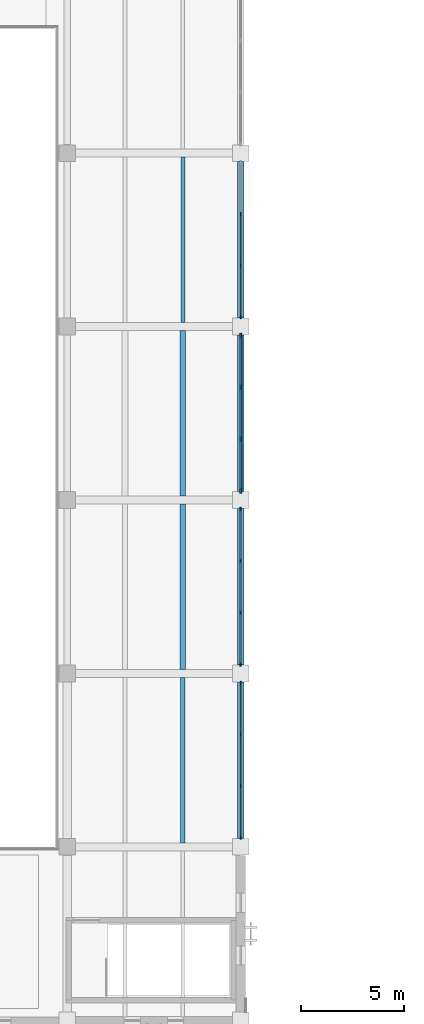
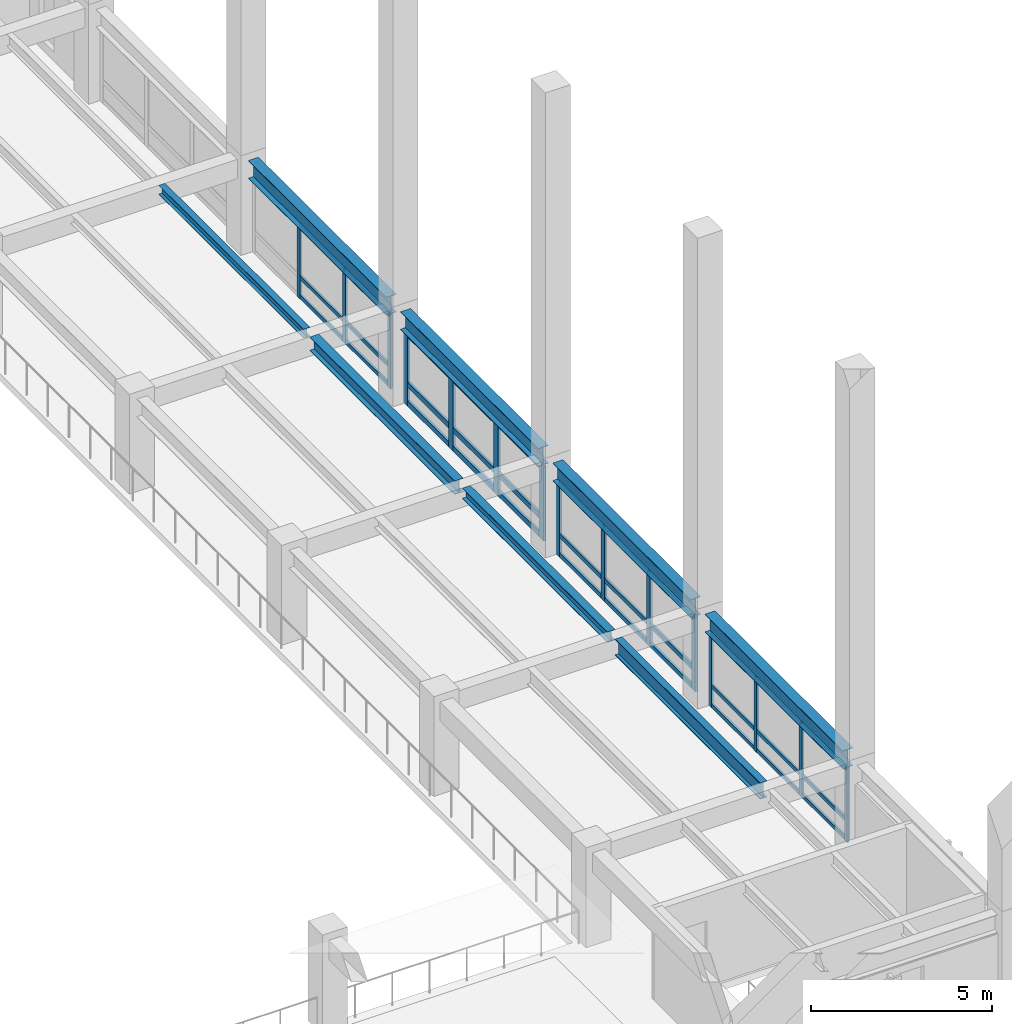
# One storey, part 8 of 64: 48 members, 8 beams, 4 elements without a shape of their own.
"""IFC4 building model written with IfcOpenShell, lengths in metres."""

import ifcopenshell
import ifcopenshell.guid

model = None  # the IFC model being written
_history = None  # IfcOwnerHistory: only IFC2X3 demands one
_inside = {}  # id of a spatial element -> (the spatial element, [elements in it])
_under = {}  # id of a project, library or spatial element -> (it, [spatial elements below it])
_declared = {}  # id of a project -> (the project, [libraries it declares])
_typed = {}  # id of a type object -> (the type object, [elements of that type])
_made_of = {}  # id of a material, layer set ... -> (it, [elements and type objects made of it])


def new_model(schema):
    """Start an empty IFC model of exactly this schema.

    Asked for "IFC4X3", IfcOpenShell would pick the latest addendum, in which some entities
    have other attributes; the version numbers below select the first issue.
    IFC2X3 requires an IfcOwnerHistory on every rooted entity: one is made here for all.
    """
    global model, _history
    if schema == "IFC4X3":
        model = ifcopenshell.file(schema_version=(4, 3, 0, 0))
    else:
        model = ifcopenshell.file(schema=schema)
    _inside.clear()
    _under.clear()
    _declared.clear()
    _typed.clear()
    _made_of.clear()
    _history = None
    if model.schema == "IFC2X3":
        org = make("IfcOrganization", Name="unknown")
        user = make(
            "IfcPersonAndOrganization",
            ThePerson=make("IfcPerson", FamilyName="unknown"),
            TheOrganization=org,
        )
        app = make(
            "IfcApplication",
            ApplicationDeveloper=org,
            Version="unknown",
            ApplicationFullName="unknown",
            ApplicationIdentifier="unknown",
        )
        _history = make(
            "IfcOwnerHistory",
            OwningUser=user,
            OwningApplication=app,
            ChangeAction="ADDED",
            CreationDate=0,
        )
    return model


def make(cls, **values):
    """One entity of the class cls with the attributes given. An attribute that is None is left unset."""
    return model.create_entity(
        cls, **{name: value for name, value in values.items() if value is not None}
    )


def rooted(cls, **values):
    """An entity with a GlobalId (a new one), such as an element, a storey or a relation."""
    return make(cls, GlobalId=ifcopenshell.guid.new(), OwnerHistory=_history, **values)


def si_unit(unit_type, name, prefix=None):
    """IfcSIUnit, for example si_unit("LENGTHUNIT", "METRE", prefix="MILLI")."""
    return make("IfcSIUnit", UnitType=unit_type, Prefix=prefix, Name=name)


def assignment(units):
    """IfcUnitAssignment: the units of a project."""
    return None if units is None else make("IfcUnitAssignment", Units=units)


def point(xyz):
    """IfcCartesianPoint."""
    return None if xyz is None else make("IfcCartesianPoint", Coordinates=xyz)


def direction(xyz):
    """IfcDirection."""
    return None if xyz is None else make("IfcDirection", DirectionRatios=xyz)


def frame(location, z_axis=None, x_axis=None):
    """IfcAxis2Placement3D, a coordinate frame: its origin and axes. An axis left out is left unset."""
    return make(
        "IfcAxis2Placement3D",
        Location=point(location),
        Axis=direction(z_axis),
        RefDirection=direction(x_axis),
    )


def frame_2d(location, x_axis=None):
    """IfcAxis2Placement2D, a coordinate frame in the plane: its origin and x axis."""
    return make(
        "IfcAxis2Placement2D", Location=point(location), RefDirection=direction(x_axis)
    )


def origin():
    """The frame at (0, 0, 0) with its axes left unset."""
    return frame((0.0, 0.0, 0.0))


def origin_2d():
    """The frame at (0, 0) in the plane with its x axis left unset."""
    return frame_2d((0.0, 0.0))


def place(relative_to, where):
    """IfcLocalPlacement: puts the frame where relative to a parent placement (None: the world)."""
    return make(
        "IfcLocalPlacement", PlacementRelTo=relative_to, RelativePlacement=where
    )


def context(
    kind, dimensions, precision=None, world=None, true_north=None, identifier=None
):
    """IfcGeometricRepresentationContext, for example the 3D "Model" context."""
    return make(
        "IfcGeometricRepresentationContext",
        ContextIdentifier=identifier,
        ContextType=kind,
        CoordinateSpaceDimension=dimensions,
        Precision=precision,
        WorldCoordinateSystem=world,
        TrueNorth=true_north,
    )


def subcontext(parent, identifier, kind, view, scale=None):
    """IfcGeometricRepresentationSubContext, for example "Body" below "Model"."""
    return make(
        "IfcGeometricRepresentationSubContext",
        ContextIdentifier=identifier,
        ContextType=kind,
        ParentContext=parent,
        TargetScale=scale,
        TargetView=view,
    )


def project(units=None, contexts=None):
    """IfcProject with its units and contexts."""
    return rooted(
        "IfcProject",
        Name="project",
        RepresentationContexts=contexts,
        UnitsInContext=assignment(units),
    )


def spatial(cls, under=None, at=None, **own):
    """A site, building, storey or space (cls), placed at a placement, below another one or the project."""
    s = rooted(cls, ObjectPlacement=at, **own)
    if under is not None:
        _under.setdefault(under.id(), (under, []))[1].append(s)
    return s


def profile(cls, at=None, kind="AREA", **sizes):
    """A parametric profile (cls). Its sizes go by their IFC names, for example OverallWidth=200.0."""
    return make(cls, ProfileType=kind, Position=at, **sizes)


def rectangle(**sizes):
    """IfcRectangleProfileDef."""
    return profile("IfcRectangleProfileDef", **sizes)


def i_section(**sizes):
    """IfcIShapeProfileDef."""
    return profile("IfcIShapeProfileDef", **sizes)


def extrude(swept, where, along, depth):
    """IfcExtrudedAreaSolid: the profile swept, set in the frame where, extruded along a direction by depth."""
    return make(
        "IfcExtrudedAreaSolid",
        SweptArea=swept,
        Position=where,
        ExtrudedDirection=direction(along),
        Depth=depth,
    )


def shape(context_of_items, identifier, shape_type, items):
    """IfcShapeRepresentation: the items that make up one representation, for example the "Body"."""
    return make(
        "IfcShapeRepresentation",
        ContextOfItems=context_of_items,
        RepresentationIdentifier=identifier,
        RepresentationType=shape_type,
        Items=items,
    )


def material(Name=None, Category=None):
    """IfcMaterial."""
    return make("IfcMaterial", Name=Name, Category=Category)


def material_profile(
    of_material, cross_section, Name=None, Category=None, Priority=None
):
    """IfcMaterialProfile: a cross section and its material."""
    return make(
        "IfcMaterialProfile",
        Name=Name,
        Material=of_material,
        Profile=cross_section,
        Priority=Priority,
        Category=Category,
    )


def profile_set(profiles, Name=None, composite=None):
    """IfcMaterialProfileSet."""
    return make(
        "IfcMaterialProfileSet",
        Name=Name,
        MaterialProfiles=profiles,
        CompositeProfile=composite,
    )


def made_of(thing, what):
    """Note that an element or type object is made of a material, layer set ...; save() writes the relation."""
    if what is not None:
        _made_of.setdefault(what.id(), (what, []))[1].append(thing)
    return thing


def type_object(cls, material=None, **own):
    """A type object (cls), such as IfcWallType, which elements share."""
    return made_of(rooted(cls, **own), material)


def element(
    cls,
    number,
    at=None,
    inside=None,
    cuts=None,
    type_object=None,
    material=None,
    context=None,
    identifier="Body",
    shape_type=None,
    held_by="IfcProductDefinitionShape",
    body=None,
    shapes=None,
    **own,
):
    """One element of the class cls, such as IfcWall. Its Tag is "e" and its number.

    at: its placement. inside: the storey or other place that contains it. cuts: it is an
    opening in that element (IfcRelVoidsElement). A single representation is given by context,
    identifier, shape_type and body (its items); several are given by shapes. held_by: the class
    of the entity that holds the representations. save() writes the other relations.
    """
    e = rooted(cls, Tag="e%d" % number, ObjectPlacement=at, **own)
    if body is not None:
        shapes = [shape(context, identifier, shape_type, body)]
    if shapes is not None:
        e.Representation = make(held_by, Representations=shapes)
    if inside is not None:
        _inside.setdefault(inside.id(), (inside, []))[1].append(e)
    if cuts is not None:
        rooted(
            "IfcRelVoidsElement", RelatingBuildingElement=cuts, RelatedOpeningElement=e
        )
    if type_object is not None:
        _typed.setdefault(type_object.id(), (type_object, []))[1].append(e)
    return made_of(e, material)


def aggregate(whole, parts):
    """IfcRelAggregates: a whole, such as a stair, and the parts it consists of."""
    return rooted("IfcRelAggregates", RelatingObject=whole, RelatedObjects=parts)


def save(model, path):
    """Write the relations noted so far, then the file.

    IfcRelAggregates (storeys below a building ...), IfcRelContainedInSpatialStructure (elements
    in a storey), IfcRelDefinesByType, IfcRelAssociatesMaterial and IfcRelDeclares: one each for
    every whole, place, type object, material and project.
    """
    for whole, parts in _under.values():
        aggregate(whole, parts)
    for where, things in _inside.values():
        rooted(
            "IfcRelContainedInSpatialStructure",
            RelatedElements=things,
            RelatingStructure=where,
        )
    for kind, things in _typed.values():
        rooted("IfcRelDefinesByType", RelatedObjects=things, RelatingType=kind)
    for what, things in _made_of.values():
        rooted("IfcRelAssociatesMaterial", RelatedObjects=things, RelatingMaterial=what)
    for by, libraries in _declared.values():
        rooted("IfcRelDeclares", RelatingContext=by, RelatedDefinitions=libraries)
    model.write(path)


model = new_model("IFC4")

# Units and contexts
model_context = context("Model", 3, precision=1e-05, world=origin(), true_north=direction((0.0, 1.0)))
body_context = subcontext(model_context, "Body", "Model", "MODEL_VIEW")
ifc_project = project(units=[si_unit("LENGTHUNIT", "METRE"), si_unit("AREAUNIT", "SQUARE_METRE"), si_unit("VOLUMEUNIT", "CUBIC_METRE"), si_unit("PLANEANGLEUNIT", "RADIAN"), si_unit("MASSUNIT", "GRAM", prefix="KILO")], contexts=[model_context])

# Site, building, storey
site_placement = place(None, origin())
site = spatial("IfcSite", under=ifc_project, at=site_placement, CompositionType="ELEMENT")
building_placement = place(site_placement, origin())
building = spatial("IfcBuilding", under=site, at=building_placement, Name="Cumbredor Promenade Congress Hotel", CompositionType="ELEMENT")
storey_placement = place(building_placement, frame((0.0, 0.0, 18.47998046875)))
storey = spatial("IfcBuildingStorey", under=building, at=storey_placement, Name="L05", CompositionType="ELEMENT", Elevation=18.47998046875)

# Curtain wall, members
ifc_material_1 = material(Name="Thermally broken anodized aluminium and low-E glass", Category="aluminium")
curtain_wall_type = type_object("IfcCurtainWallType", Name="Unitised Bronze Curtain Wall CW-01", PredefinedType="NOTDEFINED", material=ifc_material_1)
curtain_wall_1_placement = place(storey_placement, origin())
curtain_wall_1 = element("IfcCurtainWall", 1, at=curtain_wall_1_placement, inside=storey, type_object=curtain_wall_type, Name="L05 Plenary Congress Hall East Curtain Wall 2", PredefinedType="NOTDEFINED")
ifc_material_2 = material(Name="Thermally broken anodized aluminium", Category="aluminium")
ifc_material_profile_1 = material_profile(ifc_material_2, rectangle(XDim=0.06494140625, YDim=0.159912109375, at=origin_2d()), Name="ALU MULLION 65x160")
ifc_profile_set_1 = profile_set([ifc_material_profile_1], Name="Thermally broken anodized aluminium")
member_type_1 = type_object("IfcMemberType", Name="Curtain Wall Mullion ML-01", PredefinedType="MULLION", material=ifc_profile_set_1)
member_1_placement = place(storey_placement, frame((67.199951171875, 17.2548828125, -0.008056640625), z_axis=(0.0, 0.0, 1.0), x_axis=(1.0, 0.0, 0.0)))
member_1 = element("IfcMember", 2, at=member_1_placement, type_object=member_type_1, Name="L05 Plenary Congress Hall East Curtain Wall 2 Mullion 1", PredefinedType="MULLION", context=body_context, shape_type="SweptSolid", body=[
    extrude(rectangle(XDim=0.06494140625, YDim=0.159912109375, at=origin_2d()), origin(), (0.0, 0.0, 1.0), 2.510009765625),
])
member_2_placement = place(storey_placement, frame((67.199951171875, 19.751708984375, -0.008056640625), z_axis=(0.0, 0.0, 1.0), x_axis=(1.0, 0.0, 0.0)))
member_2 = element("IfcMember", 3, at=member_2_placement, type_object=member_type_1, Name="L05 Plenary Congress Hall East Curtain Wall 2 Mullion 2", PredefinedType="MULLION", context=body_context, shape_type="SweptSolid", body=[
    extrude(rectangle(XDim=0.06494140625, YDim=0.159912109375, at=origin_2d()), origin(), (0.0, 0.0, 1.0), 2.510009765625),
])
member_3_placement = place(storey_placement, frame((67.199951171875, 22.248291015625, -0.008056640625), z_axis=(0.0, 0.0, 1.0), x_axis=(1.0, 0.0, 0.0)))
member_3 = element("IfcMember", 4, at=member_3_placement, type_object=member_type_1, Name="L05 Plenary Congress Hall East Curtain Wall 2 Mullion 3", PredefinedType="MULLION", context=body_context, shape_type="SweptSolid", body=[
    extrude(rectangle(XDim=0.06494140625, YDim=0.159912109375, at=origin_2d()), origin(), (0.0, 0.0, 1.0), 2.510009765625),
])
member_4_placement = place(storey_placement, frame((67.199951171875, 24.7451171875, -0.008056640625), z_axis=(0.0, 0.0, 1.0), x_axis=(1.0, 0.0, 0.0)))
member_4 = element("IfcMember", 5, at=member_4_placement, type_object=member_type_1, Name="L05 Plenary Congress Hall East Curtain Wall 2 Mullion 4", PredefinedType="MULLION", context=body_context, shape_type="SweptSolid", body=[
    extrude(rectangle(XDim=0.06494140625, YDim=0.159912109375, at=origin_2d()), origin(), (0.0, 0.0, 1.0), 2.510009765625),
])

curtain_wall_2_placement = place(storey_placement, origin())
curtain_wall_2 = element("IfcCurtainWall", 6, at=curtain_wall_2_placement, inside=storey, type_object=curtain_wall_type, Name="L05 Plenary Congress Hall East Curtain Wall 5", PredefinedType="NOTDEFINED")
member_5_placement = place(storey_placement, frame((67.199951171875, 42.455078125, -0.008056640625), z_axis=(0.0, 0.0, 1.0), x_axis=(1.0, 0.0, 0.0)))
member_5 = element("IfcMember", 7, at=member_5_placement, type_object=member_type_1, Name="L05 Plenary Congress Hall East Curtain Wall 5 Mullion 1", PredefinedType="MULLION", context=body_context, shape_type="SweptSolid", body=[
    extrude(rectangle(XDim=0.06494140625, YDim=0.159912109375, at=origin_2d()), origin(), (0.0, 0.0, 1.0), 2.510009765625),
])
member_6_placement = place(storey_placement, frame((67.199951171875, 44.95166015625, -0.008056640625), z_axis=(0.0, 0.0, 1.0), x_axis=(1.0, 0.0, 0.0)))
member_6 = element("IfcMember", 8, at=member_6_placement, type_object=member_type_1, Name="L05 Plenary Congress Hall East Curtain Wall 5 Mullion 2", PredefinedType="MULLION", context=body_context, shape_type="SweptSolid", body=[
    extrude(rectangle(XDim=0.06494140625, YDim=0.159912109375, at=origin_2d()), origin(), (0.0, 0.0, 1.0), 2.510009765625),
])
member_7_placement = place(storey_placement, frame((67.199951171875, 47.4482421875, -0.008056640625), z_axis=(0.0, 0.0, 1.0), x_axis=(1.0, 0.0, 0.0)))
member_7 = element("IfcMember", 9, at=member_7_placement, type_object=member_type_1, Name="L05 Plenary Congress Hall East Curtain Wall 5 Mullion 3", PredefinedType="MULLION", context=body_context, shape_type="SweptSolid", body=[
    extrude(rectangle(XDim=0.06494140625, YDim=0.159912109375, at=origin_2d()), origin(), (0.0, 0.0, 1.0), 2.510009765625),
])

curtain_wall_3_placement = place(storey_placement, origin())
curtain_wall_3 = element("IfcCurtainWall", 10, at=curtain_wall_3_placement, inside=storey, type_object=curtain_wall_type, Name="L05 Plenary Congress Hall East Curtain Wall 3", PredefinedType="NOTDEFINED")
ifc_material_profile_2 = material_profile(ifc_material_2, rectangle(XDim=0.074951171875, YDim=0.199951171875, at=origin_2d()), Name="ALU MULLION 75x200")
ifc_profile_set_2 = profile_set([ifc_material_profile_2], Name="Thermally broken anodized aluminium")
member_type_2 = type_object("IfcMemberType", Name="Curtain Wall Mullion ML-02", PredefinedType="MULLION", material=ifc_profile_set_2)
member_8_placement = place(storey_placement, frame((67.199951171875, 25.655029296875, -0.008056640625), z_axis=(0.0, 0.0, 1.0), x_axis=(1.0, 0.0, 0.0)))
member_8 = element("IfcMember", 11, at=member_8_placement, type_object=member_type_2, Name="L05 Plenary Congress Hall East Curtain Wall 3 Mullion 1", PredefinedType="MULLION", context=body_context, shape_type="SweptSolid", body=[
    extrude(rectangle(XDim=0.074951171875, YDim=0.199951171875, at=origin_2d()), origin(), (0.0, 0.0, 1.0), 2.510009765625),
])
member_9_placement = place(storey_placement, frame((67.199951171875, 28.151611328125, -0.008056640625), z_axis=(0.0, 0.0, 1.0), x_axis=(1.0, 0.0, 0.0)))
member_9 = element("IfcMember", 12, at=member_9_placement, type_object=member_type_2, Name="L05 Plenary Congress Hall East Curtain Wall 3 Mullion 2", PredefinedType="MULLION", context=body_context, shape_type="SweptSolid", body=[
    extrude(rectangle(XDim=0.074951171875, YDim=0.199951171875, at=origin_2d()), origin(), (0.0, 0.0, 1.0), 2.510009765625),
])
member_10_placement = place(storey_placement, frame((67.199951171875, 30.648193359375, -0.008056640625), z_axis=(0.0, 0.0, 1.0), x_axis=(1.0, 0.0, 0.0)))
member_10 = element("IfcMember", 13, at=member_10_placement, type_object=member_type_2, Name="L05 Plenary Congress Hall East Curtain Wall 3 Mullion 3", PredefinedType="MULLION", context=body_context, shape_type="SweptSolid", body=[
    extrude(rectangle(XDim=0.074951171875, YDim=0.199951171875, at=origin_2d()), origin(), (0.0, 0.0, 1.0), 2.510009765625),
])
member_11_placement = place(storey_placement, frame((67.199951171875, 33.14501953125, -0.008056640625), z_axis=(0.0, 0.0, 1.0), x_axis=(1.0, 0.0, 0.0)))
member_11 = element("IfcMember", 14, at=member_11_placement, type_object=member_type_2, Name="L05 Plenary Congress Hall East Curtain Wall 3 Mullion 4", PredefinedType="MULLION", context=body_context, shape_type="SweptSolid", body=[
    extrude(rectangle(XDim=0.074951171875, YDim=0.199951171875, at=origin_2d()), origin(), (0.0, 0.0, 1.0), 2.510009765625),
])

curtain_wall_4_placement = place(storey_placement, origin())
curtain_wall_4 = element("IfcCurtainWall", 15, at=curtain_wall_4_placement, inside=storey, type_object=curtain_wall_type, Name="L05 Plenary Congress Hall East Curtain Wall 4", PredefinedType="NOTDEFINED")
ifc_material_profile_3 = material_profile(ifc_material_2, rectangle(XDim=0.080078125, YDim=0.239990234375, at=origin_2d()), Name="ALU MULLION 80x240")
ifc_profile_set_3 = profile_set([ifc_material_profile_3], Name="Thermally broken anodized aluminium")
member_type_3 = type_object("IfcMemberType", Name="Curtain Wall Mullion ML-03", PredefinedType="MULLION", material=ifc_profile_set_3)
member_12_placement = place(storey_placement, frame((67.199951171875, 34.054931640625, -0.008056640625), z_axis=(0.0, 0.0, 1.0), x_axis=(1.0, 0.0, 0.0)))
member_12 = element("IfcMember", 16, at=member_12_placement, type_object=member_type_3, Name="L05 Plenary Congress Hall East Curtain Wall 4 Mullion 1", PredefinedType="MULLION", context=body_context, shape_type="SweptSolid", body=[
    extrude(rectangle(XDim=0.080078125, YDim=0.239990234375, at=origin_2d()), origin(), (0.0, 0.0, 1.0), 2.510009765625),
])
member_13_placement = place(storey_placement, frame((67.199951171875, 36.5517578125, -0.008056640625), z_axis=(0.0, 0.0, 1.0), x_axis=(1.0, 0.0, 0.0)))
member_13 = element("IfcMember", 17, at=member_13_placement, type_object=member_type_3, Name="L05 Plenary Congress Hall East Curtain Wall 4 Mullion 2", PredefinedType="MULLION", context=body_context, shape_type="SweptSolid", body=[
    extrude(rectangle(XDim=0.080078125, YDim=0.239990234375, at=origin_2d()), origin(), (0.0, 0.0, 1.0), 2.510009765625),
])
member_14_placement = place(storey_placement, frame((67.199951171875, 39.04833984375, -0.008056640625), z_axis=(0.0, 0.0, 1.0), x_axis=(1.0, 0.0, 0.0)))
member_14 = element("IfcMember", 18, at=member_14_placement, type_object=member_type_3, Name="L05 Plenary Congress Hall East Curtain Wall 4 Mullion 3", PredefinedType="MULLION", context=body_context, shape_type="SweptSolid", body=[
    extrude(rectangle(XDim=0.080078125, YDim=0.239990234375, at=origin_2d()), origin(), (0.0, 0.0, 1.0), 2.510009765625),
])
member_15_placement = place(storey_placement, frame((67.199951171875, 41.544921875, -0.008056640625), z_axis=(0.0, 0.0, 1.0), x_axis=(1.0, 0.0, 0.0)))
member_15 = element("IfcMember", 19, at=member_15_placement, type_object=member_type_3, Name="L05 Plenary Congress Hall East Curtain Wall 4 Mullion 4", PredefinedType="MULLION", context=body_context, shape_type="SweptSolid", body=[
    extrude(rectangle(XDim=0.080078125, YDim=0.239990234375, at=origin_2d()), origin(), (0.0, 0.0, 1.0), 2.510009765625),
])

# Member
ifc_material_profile_4 = material_profile(ifc_material_2, rectangle(XDim=0.06494140625, YDim=0.1298828125, at=origin_2d()), Name="ALU TRANSOM 65x130")
ifc_profile_set_4 = profile_set([ifc_material_profile_4], Name="Thermally broken anodized aluminium")
member_type_4 = type_object("IfcMemberType", Name="Curtain Wall Transom TR-01", PredefinedType="USERDEFINED", material=ifc_profile_set_4)
member_16_placement = place(storey_placement, frame((67.199951171875, 17.28759765625, 0.070068359375), z_axis=(0.0, 1.0, 0.0), x_axis=(-1.0, 0.0, 0.0)))
member_16 = element("IfcMember", 20, at=member_16_placement, type_object=member_type_4, Name="L05 Plenary Congress Hall East Curtain Wall 2 Transom 1.1", ObjectType="TRANSOM", PredefinedType="USERDEFINED", context=body_context, shape_type="SweptSolid", body=[
    extrude(rectangle(XDim=0.06494140625, YDim=0.1298828125, at=origin_2d()), origin(), (0.0, 0.0, 1.0), 2.431640625),
])

member_17_placement = place(storey_placement, frame((67.199951171875, 17.28759765625, 0.719970703125), z_axis=(0.0, 1.0, 0.0), x_axis=(-1.0, 0.0, 0.0)))
member_17 = element("IfcMember", 21, at=member_17_placement, type_object=member_type_4, Name="L05 Plenary Congress Hall East Curtain Wall 2 Transom 1.2", ObjectType="TRANSOM", PredefinedType="USERDEFINED", context=body_context, shape_type="SweptSolid", body=[
    extrude(rectangle(XDim=0.06494140625, YDim=0.1298828125, at=origin_2d()), origin(), (0.0, 0.0, 1.0), 2.431640625),
])

member_18_placement = place(storey_placement, frame((67.199951171875, 17.28759765625, 2.429931640625), z_axis=(0.0, 1.0, 0.0), x_axis=(-1.0, 0.0, 0.0)))
member_18 = element("IfcMember", 22, at=member_18_placement, type_object=member_type_4, Name="L05 Plenary Congress Hall East Curtain Wall 2 Transom 1.3", ObjectType="TRANSOM", PredefinedType="USERDEFINED", context=body_context, shape_type="SweptSolid", body=[
    extrude(rectangle(XDim=0.06494140625, YDim=0.1298828125, at=origin_2d()), origin(), (0.0, 0.0, 1.0), 2.431640625),
])

member_19_placement = place(storey_placement, frame((67.199951171875, 19.7841796875, 0.070068359375), z_axis=(0.0, 1.0, 0.0), x_axis=(-1.0, 0.0, 0.0)))
member_19 = element("IfcMember", 23, at=member_19_placement, type_object=member_type_4, Name="L05 Plenary Congress Hall East Curtain Wall 2 Transom 2.1", ObjectType="TRANSOM", PredefinedType="USERDEFINED", context=body_context, shape_type="SweptSolid", body=[
    extrude(rectangle(XDim=0.06494140625, YDim=0.1298828125, at=origin_2d()), origin(), (0.0, 0.0, 1.0), 2.431640625),
])

member_20_placement = place(storey_placement, frame((67.199951171875, 19.7841796875, 0.719970703125), z_axis=(0.0, 1.0, 0.0), x_axis=(-1.0, 0.0, 0.0)))
member_20 = element("IfcMember", 24, at=member_20_placement, type_object=member_type_4, Name="L05 Plenary Congress Hall East Curtain Wall 2 Transom 2.2", ObjectType="TRANSOM", PredefinedType="USERDEFINED", context=body_context, shape_type="SweptSolid", body=[
    extrude(rectangle(XDim=0.06494140625, YDim=0.1298828125, at=origin_2d()), origin(), (0.0, 0.0, 1.0), 2.431640625),
])

member_21_placement = place(storey_placement, frame((67.199951171875, 19.7841796875, 2.429931640625), z_axis=(0.0, 1.0, 0.0), x_axis=(-1.0, 0.0, 0.0)))
member_21 = element("IfcMember", 25, at=member_21_placement, type_object=member_type_4, Name="L05 Plenary Congress Hall East Curtain Wall 2 Transom 2.3", ObjectType="TRANSOM", PredefinedType="USERDEFINED", context=body_context, shape_type="SweptSolid", body=[
    extrude(rectangle(XDim=0.06494140625, YDim=0.1298828125, at=origin_2d()), origin(), (0.0, 0.0, 1.0), 2.431640625),
])

member_22_placement = place(storey_placement, frame((67.199951171875, 22.28076171875, 0.070068359375), z_axis=(0.0, 1.0, 0.0), x_axis=(-1.0, 0.0, 0.0)))
member_22 = element("IfcMember", 26, at=member_22_placement, type_object=member_type_4, Name="L05 Plenary Congress Hall East Curtain Wall 2 Transom 3.1", ObjectType="TRANSOM", PredefinedType="USERDEFINED", context=body_context, shape_type="SweptSolid", body=[
    extrude(rectangle(XDim=0.06494140625, YDim=0.1298828125, at=origin_2d()), origin(), (0.0, 0.0, 1.0), 2.431640625),
])

member_23_placement = place(storey_placement, frame((67.199951171875, 22.28076171875, 0.719970703125), z_axis=(0.0, 1.0, 0.0), x_axis=(-1.0, 0.0, 0.0)))
member_23 = element("IfcMember", 27, at=member_23_placement, type_object=member_type_4, Name="L05 Plenary Congress Hall East Curtain Wall 2 Transom 3.2", ObjectType="TRANSOM", PredefinedType="USERDEFINED", context=body_context, shape_type="SweptSolid", body=[
    extrude(rectangle(XDim=0.06494140625, YDim=0.1298828125, at=origin_2d()), origin(), (0.0, 0.0, 1.0), 2.431640625),
])

member_24_placement = place(storey_placement, frame((67.199951171875, 22.28076171875, 2.429931640625), z_axis=(0.0, 1.0, 0.0), x_axis=(-1.0, 0.0, 0.0)))
member_24 = element("IfcMember", 28, at=member_24_placement, type_object=member_type_4, Name="L05 Plenary Congress Hall East Curtain Wall 2 Transom 3.3", ObjectType="TRANSOM", PredefinedType="USERDEFINED", context=body_context, shape_type="SweptSolid", body=[
    extrude(rectangle(XDim=0.06494140625, YDim=0.1298828125, at=origin_2d()), origin(), (0.0, 0.0, 1.0), 2.431640625),
])

aggregate(curtain_wall_1, [member_1, member_2, member_3, member_4, member_16, member_17, member_18, member_19, member_20, member_21, member_22, member_23, member_24])

member_25_placement = place(storey_placement, frame((67.199951171875, 42.487548828125, 0.070068359375), z_axis=(0.0, 1.0, 0.0), x_axis=(-1.0, 0.0, 0.0)))
member_25 = element("IfcMember", 29, at=member_25_placement, type_object=member_type_4, Name="L05 Plenary Congress Hall East Curtain Wall 5 Transom 1.1", ObjectType="TRANSOM", PredefinedType="USERDEFINED", context=body_context, shape_type="SweptSolid", body=[
    extrude(rectangle(XDim=0.06494140625, YDim=0.1298828125, at=origin_2d()), origin(), (0.0, 0.0, 1.0), 2.431640625),
])

member_26_placement = place(storey_placement, frame((67.199951171875, 42.487548828125, 0.719970703125), z_axis=(0.0, 1.0, 0.0), x_axis=(-1.0, 0.0, 0.0)))
member_26 = element("IfcMember", 30, at=member_26_placement, type_object=member_type_4, Name="L05 Plenary Congress Hall East Curtain Wall 5 Transom 1.2", ObjectType="TRANSOM", PredefinedType="USERDEFINED", context=body_context, shape_type="SweptSolid", body=[
    extrude(rectangle(XDim=0.06494140625, YDim=0.1298828125, at=origin_2d()), origin(), (0.0, 0.0, 1.0), 2.431640625),
])

member_27_placement = place(storey_placement, frame((67.199951171875, 42.487548828125, 2.429931640625), z_axis=(0.0, 1.0, 0.0), x_axis=(-1.0, 0.0, 0.0)))
member_27 = element("IfcMember", 31, at=member_27_placement, type_object=member_type_4, Name="L05 Plenary Congress Hall East Curtain Wall 5 Transom 1.3", ObjectType="TRANSOM", PredefinedType="USERDEFINED", context=body_context, shape_type="SweptSolid", body=[
    extrude(rectangle(XDim=0.06494140625, YDim=0.1298828125, at=origin_2d()), origin(), (0.0, 0.0, 1.0), 2.431640625),
])

member_28_placement = place(storey_placement, frame((67.199951171875, 44.984130859375, 0.070068359375), z_axis=(0.0, 1.0, 0.0), x_axis=(-1.0, 0.0, 0.0)))
member_28 = element("IfcMember", 32, at=member_28_placement, type_object=member_type_4, Name="L05 Plenary Congress Hall East Curtain Wall 5 Transom 2.1", ObjectType="TRANSOM", PredefinedType="USERDEFINED", context=body_context, shape_type="SweptSolid", body=[
    extrude(rectangle(XDim=0.06494140625, YDim=0.1298828125, at=origin_2d()), origin(), (0.0, 0.0, 1.0), 2.431640625),
])

member_29_placement = place(storey_placement, frame((67.199951171875, 44.984130859375, 0.719970703125), z_axis=(0.0, 1.0, 0.0), x_axis=(-1.0, 0.0, 0.0)))
member_29 = element("IfcMember", 33, at=member_29_placement, type_object=member_type_4, Name="L05 Plenary Congress Hall East Curtain Wall 5 Transom 2.2", ObjectType="TRANSOM", PredefinedType="USERDEFINED", context=body_context, shape_type="SweptSolid", body=[
    extrude(rectangle(XDim=0.06494140625, YDim=0.1298828125, at=origin_2d()), origin(), (0.0, 0.0, 1.0), 2.431640625),
])

member_30_placement = place(storey_placement, frame((67.199951171875, 44.984130859375, 2.429931640625), z_axis=(0.0, 1.0, 0.0), x_axis=(-1.0, 0.0, 0.0)))
member_30 = element("IfcMember", 34, at=member_30_placement, type_object=member_type_4, Name="L05 Plenary Congress Hall East Curtain Wall 5 Transom 2.3", ObjectType="TRANSOM", PredefinedType="USERDEFINED", context=body_context, shape_type="SweptSolid", body=[
    extrude(rectangle(XDim=0.06494140625, YDim=0.1298828125, at=origin_2d()), origin(), (0.0, 0.0, 1.0), 2.431640625),
])

aggregate(curtain_wall_2, [member_5, member_6, member_7, member_25, member_26, member_27, member_28, member_29, member_30])

ifc_material_profile_5 = material_profile(ifc_material_2, rectangle(XDim=0.074951171875, YDim=0.14990234375, at=origin_2d()), Name="ALU TRANSOM 75x150")
ifc_profile_set_5 = profile_set([ifc_material_profile_5], Name="Thermally broken anodized aluminium")
member_type_5 = type_object("IfcMemberType", Name="Curtain Wall Transom TR-02", PredefinedType="USERDEFINED", material=ifc_profile_set_5)
member_31_placement = place(storey_placement, frame((67.199951171875, 25.6923828125, 0.070068359375), z_axis=(0.0, 1.0, 0.0), x_axis=(-1.0, 0.0, 0.0)))
member_31 = element("IfcMember", 35, at=member_31_placement, type_object=member_type_5, Name="L05 Plenary Congress Hall East Curtain Wall 3 Transom 1.1", ObjectType="TRANSOM", PredefinedType="USERDEFINED", context=body_context, shape_type="SweptSolid", body=[
    extrude(rectangle(XDim=0.074951171875, YDim=0.14990234375, at=origin_2d()), origin(), (0.0, 0.0, 1.0), 2.421875),
])

member_32_placement = place(storey_placement, frame((67.199951171875, 25.6923828125, 0.719970703125), z_axis=(0.0, 1.0, 0.0), x_axis=(-1.0, 0.0, 0.0)))
member_32 = element("IfcMember", 36, at=member_32_placement, type_object=member_type_5, Name="L05 Plenary Congress Hall East Curtain Wall 3 Transom 1.2", ObjectType="TRANSOM", PredefinedType="USERDEFINED", context=body_context, shape_type="SweptSolid", body=[
    extrude(rectangle(XDim=0.074951171875, YDim=0.14990234375, at=origin_2d()), origin(), (0.0, 0.0, 1.0), 2.421875),
])

member_33_placement = place(storey_placement, frame((67.199951171875, 25.6923828125, 2.419921875), z_axis=(0.0, 1.0, 0.0), x_axis=(-1.0, 0.0, 0.0)))
member_33 = element("IfcMember", 37, at=member_33_placement, type_object=member_type_5, Name="L05 Plenary Congress Hall East Curtain Wall 3 Transom 1.3", ObjectType="TRANSOM", PredefinedType="USERDEFINED", context=body_context, shape_type="SweptSolid", body=[
    extrude(rectangle(XDim=0.074951171875, YDim=0.14990234375, at=origin_2d()), origin(), (0.0, 0.0, 1.0), 2.421875),
])

member_34_placement = place(storey_placement, frame((67.199951171875, 28.189208984375, 0.070068359375), z_axis=(0.0, 1.0, 0.0), x_axis=(-1.0, 0.0, 0.0)))
member_34 = element("IfcMember", 38, at=member_34_placement, type_object=member_type_5, Name="L05 Plenary Congress Hall East Curtain Wall 3 Transom 2.1", ObjectType="TRANSOM", PredefinedType="USERDEFINED", context=body_context, shape_type="SweptSolid", body=[
    extrude(rectangle(XDim=0.074951171875, YDim=0.14990234375, at=origin_2d()), origin(), (0.0, 0.0, 1.0), 2.421630859375),
])

member_35_placement = place(storey_placement, frame((67.199951171875, 28.189208984375, 0.719970703125), z_axis=(0.0, 1.0, 0.0), x_axis=(-1.0, 0.0, 0.0)))
member_35 = element("IfcMember", 39, at=member_35_placement, type_object=member_type_5, Name="L05 Plenary Congress Hall East Curtain Wall 3 Transom 2.2", ObjectType="TRANSOM", PredefinedType="USERDEFINED", context=body_context, shape_type="SweptSolid", body=[
    extrude(rectangle(XDim=0.074951171875, YDim=0.14990234375, at=origin_2d()), origin(), (0.0, 0.0, 1.0), 2.421630859375),
])

member_36_placement = place(storey_placement, frame((67.199951171875, 28.189208984375, 2.419921875), z_axis=(0.0, 1.0, 0.0), x_axis=(-1.0, 0.0, 0.0)))
member_36 = element("IfcMember", 40, at=member_36_placement, type_object=member_type_5, Name="L05 Plenary Congress Hall East Curtain Wall 3 Transom 2.3", ObjectType="TRANSOM", PredefinedType="USERDEFINED", context=body_context, shape_type="SweptSolid", body=[
    extrude(rectangle(XDim=0.074951171875, YDim=0.14990234375, at=origin_2d()), origin(), (0.0, 0.0, 1.0), 2.421630859375),
])

member_37_placement = place(storey_placement, frame((67.199951171875, 30.685791015625, 0.070068359375), z_axis=(0.0, 1.0, 0.0), x_axis=(-1.0, 0.0, 0.0)))
member_37 = element("IfcMember", 41, at=member_37_placement, type_object=member_type_5, Name="L05 Plenary Congress Hall East Curtain Wall 3 Transom 3.1", ObjectType="TRANSOM", PredefinedType="USERDEFINED", context=body_context, shape_type="SweptSolid", body=[
    extrude(rectangle(XDim=0.074951171875, YDim=0.14990234375, at=origin_2d()), origin(), (0.0, 0.0, 1.0), 2.421630859375),
])

member_38_placement = place(storey_placement, frame((67.199951171875, 30.685791015625, 0.719970703125), z_axis=(0.0, 1.0, 0.0), x_axis=(-1.0, 0.0, 0.0)))
member_38 = element("IfcMember", 42, at=member_38_placement, type_object=member_type_5, Name="L05 Plenary Congress Hall East Curtain Wall 3 Transom 3.2", ObjectType="TRANSOM", PredefinedType="USERDEFINED", context=body_context, shape_type="SweptSolid", body=[
    extrude(rectangle(XDim=0.074951171875, YDim=0.14990234375, at=origin_2d()), origin(), (0.0, 0.0, 1.0), 2.421630859375),
])

member_39_placement = place(storey_placement, frame((67.199951171875, 30.685791015625, 2.419921875), z_axis=(0.0, 1.0, 0.0), x_axis=(-1.0, 0.0, 0.0)))
member_39 = element("IfcMember", 43, at=member_39_placement, type_object=member_type_5, Name="L05 Plenary Congress Hall East Curtain Wall 3 Transom 3.3", ObjectType="TRANSOM", PredefinedType="USERDEFINED", context=body_context, shape_type="SweptSolid", body=[
    extrude(rectangle(XDim=0.074951171875, YDim=0.14990234375, at=origin_2d()), origin(), (0.0, 0.0, 1.0), 2.421630859375),
])

aggregate(curtain_wall_3, [member_8, member_9, member_10, member_11, member_31, member_32, member_33, member_34, member_35, member_36, member_37, member_38, member_39])

ifc_material_profile_6 = material_profile(ifc_material_2, rectangle(XDim=0.080078125, YDim=0.179931640625, at=origin_2d()), Name="ALU TRANSOM 80x180")
ifc_profile_set_6 = profile_set([ifc_material_profile_6], Name="Thermally broken anodized aluminium")
member_type_6 = type_object("IfcMemberType", Name="Curtain Wall Transom TR-03", PredefinedType="USERDEFINED", material=ifc_profile_set_6)
member_40_placement = place(storey_placement, frame((67.199951171875, 34.094970703125, 0.090087890625), z_axis=(0.0, 1.0, 0.0), x_axis=(-1.0, 0.0, 0.0)))
member_40 = element("IfcMember", 44, at=member_40_placement, type_object=member_type_6, Name="L05 Plenary Congress Hall East Curtain Wall 4 Transom 1.1", ObjectType="TRANSOM", PredefinedType="USERDEFINED", context=body_context, shape_type="SweptSolid", body=[
    extrude(rectangle(XDim=0.080078125, YDim=0.179931640625, at=origin_2d()), origin(), (0.0, 0.0, 1.0), 2.416748046875),
])

member_41_placement = place(storey_placement, frame((67.199951171875, 34.094970703125, 0.719970703125), z_axis=(0.0, 1.0, 0.0), x_axis=(-1.0, 0.0, 0.0)))
member_41 = element("IfcMember", 45, at=member_41_placement, type_object=member_type_6, Name="L05 Plenary Congress Hall East Curtain Wall 4 Transom 1.2", ObjectType="TRANSOM", PredefinedType="USERDEFINED", context=body_context, shape_type="SweptSolid", body=[
    extrude(rectangle(XDim=0.080078125, YDim=0.179931640625, at=origin_2d()), origin(), (0.0, 0.0, 1.0), 2.416748046875),
])

member_42_placement = place(storey_placement, frame((67.199951171875, 34.094970703125, 2.39990234375), z_axis=(0.0, 1.0, 0.0), x_axis=(-1.0, 0.0, 0.0)))
member_42 = element("IfcMember", 46, at=member_42_placement, type_object=member_type_6, Name="L05 Plenary Congress Hall East Curtain Wall 4 Transom 1.3", ObjectType="TRANSOM", PredefinedType="USERDEFINED", context=body_context, shape_type="SweptSolid", body=[
    extrude(rectangle(XDim=0.080078125, YDim=0.179931640625, at=origin_2d()), origin(), (0.0, 0.0, 1.0), 2.416748046875),
])

member_43_placement = place(storey_placement, frame((67.199951171875, 36.591796875, 0.090087890625), z_axis=(0.0, 1.0, 0.0), x_axis=(-1.0, 0.0, 0.0)))
member_43 = element("IfcMember", 47, at=member_43_placement, type_object=member_type_6, Name="L05 Plenary Congress Hall East Curtain Wall 4 Transom 2.1", ObjectType="TRANSOM", PredefinedType="USERDEFINED", context=body_context, shape_type="SweptSolid", body=[
    extrude(rectangle(XDim=0.080078125, YDim=0.179931640625, at=origin_2d()), origin(), (0.0, 0.0, 1.0), 2.41650390625),
])

member_44_placement = place(storey_placement, frame((67.199951171875, 36.591796875, 0.719970703125), z_axis=(0.0, 1.0, 0.0), x_axis=(-1.0, 0.0, 0.0)))
member_44 = element("IfcMember", 48, at=member_44_placement, type_object=member_type_6, Name="L05 Plenary Congress Hall East Curtain Wall 4 Transom 2.2", ObjectType="TRANSOM", PredefinedType="USERDEFINED", context=body_context, shape_type="SweptSolid", body=[
    extrude(rectangle(XDim=0.080078125, YDim=0.179931640625, at=origin_2d()), origin(), (0.0, 0.0, 1.0), 2.41650390625),
])

member_45_placement = place(storey_placement, frame((67.199951171875, 36.591796875, 2.39990234375), z_axis=(0.0, 1.0, 0.0), x_axis=(-1.0, 0.0, 0.0)))
member_45 = element("IfcMember", 49, at=member_45_placement, type_object=member_type_6, Name="L05 Plenary Congress Hall East Curtain Wall 4 Transom 2.3", ObjectType="TRANSOM", PredefinedType="USERDEFINED", context=body_context, shape_type="SweptSolid", body=[
    extrude(rectangle(XDim=0.080078125, YDim=0.179931640625, at=origin_2d()), origin(), (0.0, 0.0, 1.0), 2.41650390625),
])

member_46_placement = place(storey_placement, frame((67.199951171875, 39.08837890625, 0.090087890625), z_axis=(0.0, 1.0, 0.0), x_axis=(-1.0, 0.0, 0.0)))
member_46 = element("IfcMember", 50, at=member_46_placement, type_object=member_type_6, Name="L05 Plenary Congress Hall East Curtain Wall 4 Transom 3.1", ObjectType="TRANSOM", PredefinedType="USERDEFINED", context=body_context, shape_type="SweptSolid", body=[
    extrude(rectangle(XDim=0.080078125, YDim=0.179931640625, at=origin_2d()), origin(), (0.0, 0.0, 1.0), 2.41650390625),
])

member_47_placement = place(storey_placement, frame((67.199951171875, 39.08837890625, 0.719970703125), z_axis=(0.0, 1.0, 0.0), x_axis=(-1.0, 0.0, 0.0)))
member_47 = element("IfcMember", 51, at=member_47_placement, type_object=member_type_6, Name="L05 Plenary Congress Hall East Curtain Wall 4 Transom 3.2", ObjectType="TRANSOM", PredefinedType="USERDEFINED", context=body_context, shape_type="SweptSolid", body=[
    extrude(rectangle(XDim=0.080078125, YDim=0.179931640625, at=origin_2d()), origin(), (0.0, 0.0, 1.0), 2.41650390625),
])

member_48_placement = place(storey_placement, frame((67.199951171875, 39.08837890625, 2.39990234375), z_axis=(0.0, 1.0, 0.0), x_axis=(-1.0, 0.0, 0.0)))
member_48 = element("IfcMember", 52, at=member_48_placement, type_object=member_type_6, Name="L05 Plenary Congress Hall East Curtain Wall 4 Transom 3.3", ObjectType="TRANSOM", PredefinedType="USERDEFINED", context=body_context, shape_type="SweptSolid", body=[
    extrude(rectangle(XDim=0.080078125, YDim=0.179931640625, at=origin_2d()), origin(), (0.0, 0.0, 1.0), 2.41650390625),
])

aggregate(curtain_wall_4, [member_12, member_13, member_14, member_15, member_40, member_41, member_42, member_43, member_44, member_45, member_46, member_47, member_48])

# Beams
ifc_material_3 = material(Name="Steel ASTM A992 Grade 50", Category="steel")
ifc_material_profile_7 = material_profile(ifc_material_3, i_section(OverallWidth=0.202880859375, OverallDepth=0.302978515625, WebThickness=0.007568359375, FlangeThickness=0.01318359375, at=origin_2d()), Name="W12X40")
ifc_profile_set_7 = profile_set([ifc_material_profile_7], Name="Steel ASTM A992 Grade 50")
beam_type_1 = type_object("IfcBeamType", Name="JST-W12X40", PredefinedType="JOIST", material=ifc_profile_set_7)
beam_1_placement = place(storey_placement, frame((64.39990234375, 42.199951171875, 2.968505859375), z_axis=(0.0, 1.0, 0.0), x_axis=(-1.0, 0.0, 0.0)))
element("IfcBeam", 53, at=beam_1_placement, inside=storey, type_object=beam_type_1, Name="L06 Secondary Floor Joist 0064", PredefinedType="JOIST", context=body_context, shape_type="SweptSolid", body=[
    extrude(i_section(OverallWidth=0.202880859375, OverallDepth=0.302978515625, WebThickness=0.007568359375, FlangeThickness=0.01318359375, at=origin_2d()), origin(), (0.0, 0.0, 1.0), 8.0),
])
ifc_material_profile_8 = material_profile(ifc_material_3, i_section(OverallWidth=0.2548828125, OverallDepth=0.35693359375, WebThickness=0.010498046875, FlangeThickness=0.018310546875, at=origin_2d()), Name="W14X68")
ifc_profile_set_8 = profile_set([ifc_material_profile_8], Name="Steel ASTM A992 Grade 50")
beam_type_2 = type_object("IfcBeamType", Name="JST-W14X68", PredefinedType="JOIST", material=ifc_profile_set_8)
beam_2_placement = place(storey_placement, frame((64.39990234375, 25.39990234375, 2.94140625), z_axis=(0.0, 1.0, 0.0), x_axis=(-1.0, 0.0, 0.0)))
element("IfcBeam", 54, at=beam_2_placement, inside=storey, type_object=beam_type_2, Name="L06 Secondary Floor Joist 0060", PredefinedType="JOIST", context=body_context, shape_type="SweptSolid", body=[
    extrude(i_section(OverallWidth=0.2548828125, OverallDepth=0.35693359375, WebThickness=0.010498046875, FlangeThickness=0.018310546875, at=origin_2d()), origin(), (0.0, 0.0, 1.0), 8.0),
])
ifc_material_profile_9 = material_profile(ifc_material_3, i_section(OverallWidth=0.280029296875, OverallDepth=0.462890625, WebThickness=0.0107421875, FlangeThickness=0.017333984375, at=origin_2d()), Name="W18X76")
ifc_profile_set_9 = profile_set([ifc_material_profile_9], Name="Steel ASTM A992 Grade 50")
beam_type_3 = type_object("IfcBeamType", Name="JST-W18X76", PredefinedType="JOIST", material=ifc_profile_set_9)
beam_3_placement = place(storey_placement, frame((64.39990234375, 33.800048828125, 2.888427734375), z_axis=(0.0, 1.0, 0.0), x_axis=(-1.0, 0.0, 0.0)))
element("IfcBeam", 55, at=beam_3_placement, inside=storey, type_object=beam_type_3, Name="L06 Secondary Floor Joist 0062", PredefinedType="JOIST", context=body_context, shape_type="SweptSolid", body=[
    extrude(i_section(OverallWidth=0.280029296875, OverallDepth=0.462890625, WebThickness=0.0107421875, FlangeThickness=0.017333984375, at=origin_2d()), origin(), (0.0, 0.0, 1.0), 8.0),
])
ifc_material_profile_10 = material_profile(ifc_material_3, i_section(OverallWidth=0.214111328125, OverallDepth=0.549072265625, WebThickness=0.0146484375, FlangeThickness=0.023681640625, at=origin_2d()), Name="W21X93")
ifc_profile_set_10 = profile_set([ifc_material_profile_10], Name="Steel ASTM A992 Grade 50")
beam_type_4 = type_object("IfcBeamType", Name="JST-W21X93", PredefinedType="JOIST", material=ifc_profile_set_10)
beam_4_placement = place(storey_placement, frame((64.39990234375, 17.0, 2.845458984375), z_axis=(0.0, 1.0, 0.0), x_axis=(-1.0, 0.0, 0.0)))
element("IfcBeam", 56, at=beam_4_placement, inside=storey, type_object=beam_type_4, Name="L06 Secondary Floor Joist 0058", PredefinedType="JOIST", context=body_context, shape_type="SweptSolid", body=[
    extrude(i_section(OverallWidth=0.214111328125, OverallDepth=0.549072265625, WebThickness=0.0146484375, FlangeThickness=0.023681640625, at=origin_2d()), origin(), (0.0, 0.0, 1.0), 8.0),
])
ifc_material_profile_11 = material_profile(ifc_material_3, i_section(OverallWidth=0.323974609375, OverallDepth=0.611083984375, WebThickness=0.0126953125, FlangeThickness=0.01904296875, at=origin_2d()), Name="W24X104")
ifc_profile_set_11 = profile_set([ifc_material_profile_11], Name="Steel ASTM A992 Grade 50")
beam_type_5 = type_object("IfcBeamType", Name="SP-W24X104", PredefinedType="SPANDREL", material=ifc_profile_set_11)
beam_5_placement = place(storey_placement, frame((67.199951171875, 17.199951171875, 2.814453125), z_axis=(0.0, 1.0, 0.0), x_axis=(-1.0, 0.0, 0.0)))
element("IfcBeam", 57, at=beam_5_placement, inside=storey, type_object=beam_type_5, Name="L06 Y-Grid Beam 114", PredefinedType="SPANDREL", context=body_context, shape_type="SweptSolid", body=[
    extrude(i_section(OverallWidth=0.323974609375, OverallDepth=0.611083984375, WebThickness=0.0126953125, FlangeThickness=0.01904296875, at=origin_2d()), origin(), (0.0, 0.0, 1.0), 7.60009765625),
])
beam_6_placement = place(storey_placement, frame((67.199951171875, 25.60009765625, 2.814453125), z_axis=(0.0, 1.0, 0.0), x_axis=(-1.0, 0.0, 0.0)))
element("IfcBeam", 58, at=beam_6_placement, inside=storey, type_object=beam_type_5, Name="L06 Y-Grid Beam 115", PredefinedType="SPANDREL", context=body_context, shape_type="SweptSolid", body=[
    extrude(i_section(OverallWidth=0.323974609375, OverallDepth=0.611083984375, WebThickness=0.0126953125, FlangeThickness=0.01904296875, at=origin_2d()), origin(), (0.0, 0.0, 1.0), 7.599853515625),
])
for number, where, z_axis, x_axis, name in (
    (59, (67.199951171875, 34.0, 2.814453125), (0.0, 1.0, 0.0), (-1.0, 0.0, 0.0), "L06 Y-Grid Beam 116"),
    (60, (67.199951171875, 42.39990234375, 2.814453125), (0.0, 1.0, 0.0), (-1.0, 0.0, 0.0), "L06 Y-Grid Beam 117"),
):
    element("IfcBeam", number, at=place(storey_placement, frame(where, z_axis=z_axis, x_axis=x_axis)), inside=storey, type_object=beam_type_5, Name=name, PredefinedType="SPANDREL", context=body_context, shape_type="SweptSolid", body=[
        extrude(i_section(OverallWidth=0.323974609375, OverallDepth=0.611083984375, WebThickness=0.0126953125, FlangeThickness=0.01904296875, at=origin_2d()), origin(), (0.0, 0.0, 1.0), 7.60009765625),
    ])

save(model, "model.ifc")
